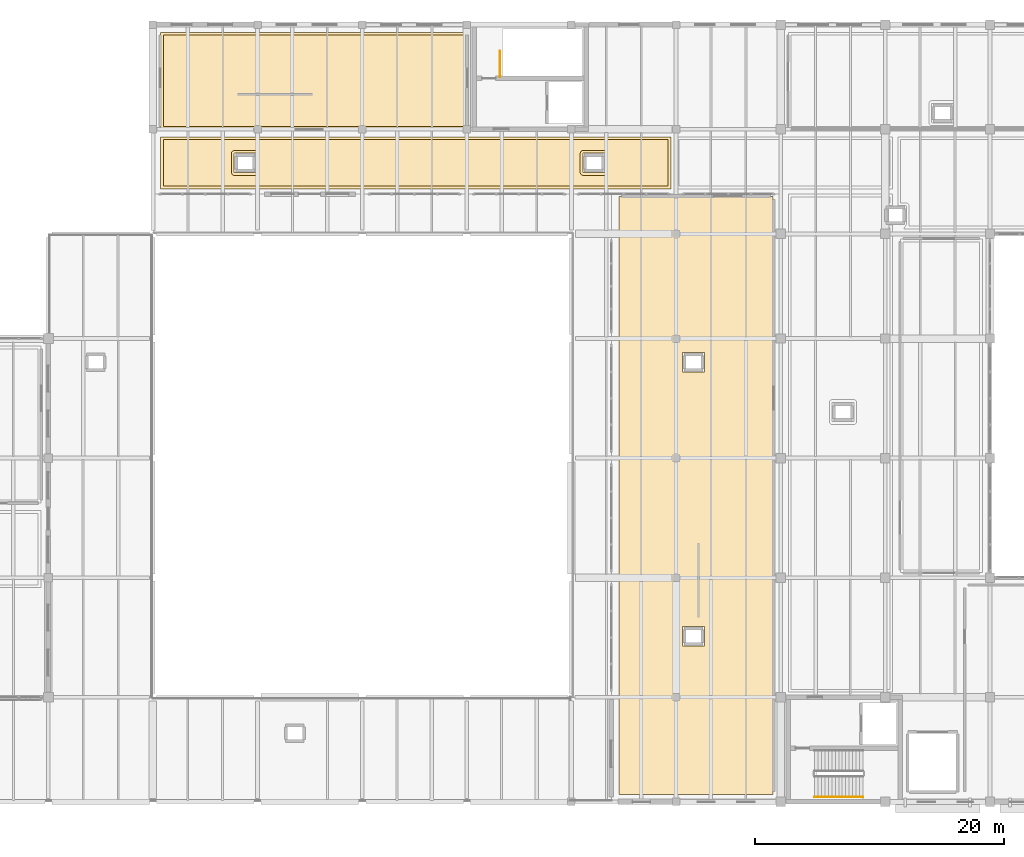
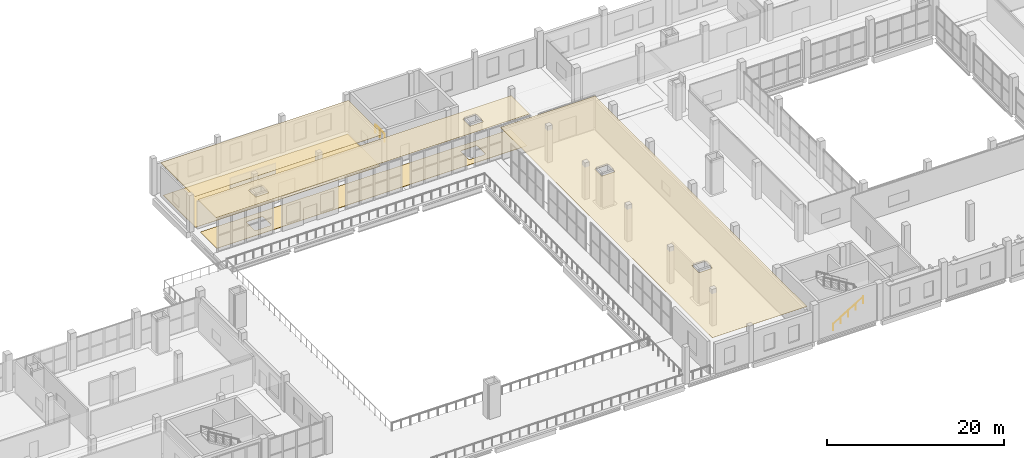
# One storey, part 73 of 77: 5 coverings, 2 railings.
"""IFC4 building model written with IfcOpenShell, lengths in metres."""

from ifc_helpers import new_model, si_unit, direction, frame, origin, origin_2d, place, context, subcontext, project, spatial, polyline, circle, outline, extrude, material, layer, layer_set, type_object, element, save


model = new_model("IFC4")

# Units and contexts
model_context = context("Model", 3, precision=1e-05, world=origin(), true_north=direction((0.0, 1.0)))
body_context = subcontext(model_context, "Body", "Model", "MODEL_VIEW")
ifc_project = project(units=[si_unit("LENGTHUNIT", "METRE"), si_unit("AREAUNIT", "SQUARE_METRE"), si_unit("VOLUMEUNIT", "CUBIC_METRE"), si_unit("PLANEANGLEUNIT", "RADIAN"), si_unit("MASSUNIT", "GRAM", prefix="KILO")], contexts=[model_context])

# Site, building, storey
site_placement = place(None, origin())
site = spatial("IfcSite", under=ifc_project, at=site_placement, CompositionType="ELEMENT")
building_placement = place(site_placement, origin())
building = spatial("IfcBuilding", under=site, at=building_placement, Name="Zulmaris Art Gallery", CompositionType="ELEMENT")
storey_placement = place(building_placement, frame((0.0, 0.0, 15.60009765625)))
storey = spatial("IfcBuildingStorey", under=building, at=storey_placement, Name="L03", CompositionType="ELEMENT", Elevation=15.60009765625)

# Coverings
ifc_material_1 = material(Name="Micro-Perforated Gypsum Acoustic Ceiling", Category="gypsum")
ifc_layer_1 = layer(ifc_material_1, 0.02490234375)
ifc_layer_set_1 = layer_set([ifc_layer_1], Name="Micro-Perforated Gypsum Acoustic Ceiling")
covering_type_1 = type_object("IfcCoveringType", Name="COV-CL01", PredefinedType="CEILING", material=ifc_layer_set_1)
covering_1_placement = place(storey_placement, frame((0.0, 0.0, 4.449951171875)))
element("IfcCovering", 1, at=covering_1_placement, inside=storey, type_object=covering_type_1, Name="L03 Setback Gallery Concourse acoustic ceiling", PredefinedType="CEILING", context=body_context, shape_type="SweptSolid", body=[
    extrude(outline(polyline([(91.81005859375, 66.590087890625), (132.7900390625, 66.590087890625), (132.7900390625, 62.409912109375), (91.81005859375, 62.409912109375), (91.81005859375, 66.590087890625)]), holes=[polyline([(125.741455078125, 65.278564453125), (125.738525390625, 65.277587890625), (125.736083984375, 65.276123046875), (125.7333984375, 65.274658203125), (125.731201171875, 65.27294921875), (125.72900390625, 65.27099609375), (125.72705078125, 65.268798828125), (125.725341796875, 65.2666015625), (125.723876953125, 65.263916015625), (125.722412109375, 65.261474609375), (125.721435546875, 65.258544921875), (125.720703125, 65.255859375), (125.720458984375, 65.2529296875), (125.719970703125, 65.24462890625), (125.719970703125, 63.75537109375), (125.720458984375, 63.7470703125), (125.720703125, 63.744140625), (125.721435546875, 63.741455078125), (125.722412109375, 63.738525390625), (125.723876953125, 63.736083984375), (125.725341796875, 63.7333984375), (125.72705078125, 63.731201171875), (125.72900390625, 63.72900390625), (125.731201171875, 63.72705078125), (125.7333984375, 63.725341796875), (125.736083984375, 63.723876953125), (125.738525390625, 63.722412109375), (125.741455078125, 63.721435546875), (125.744140625, 63.720703125), (125.7470703125, 63.720458984375), (125.75537109375, 63.719970703125), (127.444580078125, 63.719970703125), (127.452880859375, 63.720458984375), (127.455810546875, 63.720703125), (127.45849609375, 63.721435546875), (127.46142578125, 63.722412109375), (127.464111328125, 63.723876953125), (127.466552734375, 63.725341796875), (127.468994140625, 63.72705078125), (127.470947265625, 63.72900390625), (127.472900390625, 63.731201171875), (127.474609375, 63.7333984375), (127.476318359375, 63.736083984375), (127.4775390625, 63.738525390625), (127.478515625, 63.741455078125), (127.479248046875, 63.744140625), (127.4794921875, 63.7470703125), (127.47998046875, 63.75537109375), (127.47998046875, 65.24462890625), (127.4794921875, 65.2529296875), (127.479248046875, 65.255859375), (127.478515625, 65.258544921875), (127.4775390625, 65.261474609375), (127.476318359375, 65.263916015625), (127.474609375, 65.2666015625), (127.472900390625, 65.268798828125), (127.470947265625, 65.27099609375), (127.468994140625, 65.27294921875), (127.466552734375, 65.274658203125), (127.464111328125, 65.276123046875), (127.46142578125, 65.277587890625), (127.45849609375, 65.278564453125), (127.455810546875, 65.279296875), (127.452880859375, 65.279541015625), (127.444580078125, 65.280029296875), (125.75537109375, 65.280029296875), (125.7470703125, 65.279541015625), (125.744140625, 65.279296875), (125.741455078125, 65.278564453125)]), polyline([(97.741455078125, 65.278564453125), (97.738525390625, 65.277587890625), (97.736083984375, 65.276123046875), (97.7333984375, 65.274658203125), (97.731201171875, 65.27294921875), (97.72900390625, 65.27099609375), (97.72705078125, 65.268798828125), (97.725341796875, 65.2666015625), (97.723876953125, 65.263916015625), (97.722412109375, 65.261474609375), (97.721435546875, 65.258544921875), (97.720703125, 65.255859375), (97.720458984375, 65.2529296875), (97.719970703125, 65.24462890625), (97.719970703125, 63.75537109375), (97.720458984375, 63.7470703125), (97.720703125, 63.744140625), (97.721435546875, 63.741455078125), (97.722412109375, 63.738525390625), (97.723876953125, 63.736083984375), (97.725341796875, 63.7333984375), (97.72705078125, 63.731201171875), (97.72900390625, 63.72900390625), (97.731201171875, 63.72705078125), (97.7333984375, 63.725341796875), (97.736083984375, 63.723876953125), (97.738525390625, 63.722412109375), (97.741455078125, 63.721435546875), (97.744140625, 63.720703125), (97.7470703125, 63.720458984375), (97.75537109375, 63.719970703125), (99.444580078125, 63.719970703125), (99.452880859375, 63.720458984375), (99.455810546875, 63.720703125), (99.45849609375, 63.721435546875), (99.46142578125, 63.722412109375), (99.464111328125, 63.723876953125), (99.466552734375, 63.725341796875), (99.468994140625, 63.72705078125), (99.470947265625, 63.72900390625), (99.472900390625, 63.731201171875), (99.474609375, 63.7333984375), (99.476318359375, 63.736083984375), (99.4775390625, 63.738525390625), (99.478515625, 63.741455078125), (99.479248046875, 63.744140625), (99.4794921875, 63.7470703125), (99.47998046875, 63.75537109375), (99.47998046875, 65.24462890625), (99.4794921875, 65.2529296875), (99.479248046875, 65.255859375), (99.478515625, 65.258544921875), (99.4775390625, 65.261474609375), (99.476318359375, 65.263916015625), (99.474609375, 65.2666015625), (99.472900390625, 65.268798828125), (99.470947265625, 65.27099609375), (99.468994140625, 65.27294921875), (99.466552734375, 65.274658203125), (99.464111328125, 65.276123046875), (99.46142578125, 65.277587890625), (99.45849609375, 65.278564453125), (99.455810546875, 65.279296875), (99.452880859375, 65.279541015625), (99.444580078125, 65.280029296875), (97.75537109375, 65.280029296875), (97.7470703125, 65.279541015625), (97.744140625, 65.279296875), (97.741455078125, 65.278564453125)])]), origin(), (0.0, 0.0, 1.0), 0.030029296875),
])
ifc_material_2 = material(Name="Luminous UV-Diffusing Stretched Gallery Ceiling", Category="gypsum")
ifc_layer_2 = layer(ifc_material_2, 0.034912109375)
ifc_layer_set_2 = layer_set([ifc_layer_2], Name="Luminous UV-Diffusing Stretched Gallery Ceiling")
covering_type_2 = type_object("IfcCoveringType", Name="COV-CL02", PredefinedType="CEILING", material=ifc_layer_set_2)
covering_2_placement = place(storey_placement, frame((0.0, 0.0, 4.449951171875)))
element("IfcCovering", 2, at=covering_2_placement, inside=storey, type_object=covering_type_2, Name="Setback Terrace Pavilion Gallery North acoustic ceiling", PredefinedType="CEILING", context=body_context, shape_type="SweptSolid", body=[
    extrude(outline(polyline([(91.81005859375, 74.989990234375), (116.389892578125, 74.989990234375), (116.389892578125, 67.2099609375), (91.81005859375, 67.2099609375), (91.81005859375, 74.989990234375)])), origin(), (0.0, 0.0, 1.0), 0.030029296875),
])
covering_3_placement = place(storey_placement, frame((0.0, 0.0, 4.449951171875)))
element("IfcCovering", 3, at=covering_3_placement, inside=storey, type_object=covering_type_2, Name="Setback Terrace Pavilion Gallery East acoustic ceiling", PredefinedType="CEILING", context=body_context, shape_type="SweptSolid", body=[
    extrude(outline(polyline([(128.610107421875, 61.7900390625), (140.989990234375, 61.7900390625), (140.989990234375, 13.81005859375), (128.610107421875, 13.81005859375), (128.610107421875, 61.7900390625)]), holes=[polyline([(133.741455078125, 49.278564453125), (133.738525390625, 49.277587890625), (133.736083984375, 49.276123046875), (133.7333984375, 49.274658203125), (133.731201171875, 49.27294921875), (133.72900390625, 49.27099609375), (133.72705078125, 49.268798828125), (133.725341796875, 49.2666015625), (133.723876953125, 49.263916015625), (133.722412109375, 49.261474609375), (133.721435546875, 49.258544921875), (133.720703125, 49.255859375), (133.720458984375, 49.2529296875), (133.719970703125, 49.24462890625), (133.719970703125, 47.75537109375), (133.720458984375, 47.7470703125), (133.720703125, 47.744140625), (133.721435546875, 47.741455078125), (133.722412109375, 47.738525390625), (133.723876953125, 47.736083984375), (133.725341796875, 47.7333984375), (133.72705078125, 47.731201171875), (133.72900390625, 47.72900390625), (133.731201171875, 47.72705078125), (133.7333984375, 47.725341796875), (133.736083984375, 47.723876953125), (133.738525390625, 47.722412109375), (133.741455078125, 47.721435546875), (133.744140625, 47.720703125), (133.7470703125, 47.720458984375), (133.75537109375, 47.719970703125), (135.444580078125, 47.719970703125), (135.452880859375, 47.720458984375), (135.455810546875, 47.720703125), (135.45849609375, 47.721435546875), (135.46142578125, 47.722412109375), (135.464111328125, 47.723876953125), (135.466552734375, 47.725341796875), (135.468994140625, 47.72705078125), (135.470947265625, 47.72900390625), (135.472900390625, 47.731201171875), (135.474609375, 47.7333984375), (135.476318359375, 47.736083984375), (135.4775390625, 47.738525390625), (135.478515625, 47.741455078125), (135.479248046875, 47.744140625), (135.4794921875, 47.7470703125), (135.47998046875, 47.75537109375), (135.47998046875, 49.24462890625), (135.4794921875, 49.2529296875), (135.479248046875, 49.255859375), (135.478515625, 49.258544921875), (135.4775390625, 49.261474609375), (135.476318359375, 49.263916015625), (135.474609375, 49.2666015625), (135.472900390625, 49.268798828125), (135.470947265625, 49.27099609375), (135.468994140625, 49.27294921875), (135.466552734375, 49.274658203125), (135.464111328125, 49.276123046875), (135.46142578125, 49.277587890625), (135.45849609375, 49.278564453125), (135.455810546875, 49.279296875), (135.452880859375, 49.279541015625), (135.444580078125, 49.280029296875), (133.75537109375, 49.280029296875), (133.7470703125, 49.279541015625), (133.744140625, 49.279296875), (133.741455078125, 49.278564453125)]), polyline([(133.741455078125, 27.278564453125), (133.738525390625, 27.277587890625), (133.736083984375, 27.276123046875), (133.7333984375, 27.274658203125), (133.731201171875, 27.27294921875), (133.72900390625, 27.27099609375), (133.72705078125, 27.268798828125), (133.725341796875, 27.2666015625), (133.723876953125, 27.263916015625), (133.722412109375, 27.261474609375), (133.721435546875, 27.258544921875), (133.720703125, 27.255859375), (133.720458984375, 27.2529296875), (133.719970703125, 27.24462890625), (133.719970703125, 25.75537109375), (133.720458984375, 25.7470703125), (133.720703125, 25.744140625), (133.721435546875, 25.741455078125), (133.722412109375, 25.738525390625), (133.723876953125, 25.736083984375), (133.725341796875, 25.7333984375), (133.72705078125, 25.731201171875), (133.72900390625, 25.72900390625), (133.731201171875, 25.72705078125), (133.7333984375, 25.725341796875), (133.736083984375, 25.723876953125), (133.738525390625, 25.722412109375), (133.741455078125, 25.721435546875), (133.744140625, 25.720703125), (133.7470703125, 25.720458984375), (133.75537109375, 25.719970703125), (135.444580078125, 25.719970703125), (135.452880859375, 25.720458984375), (135.455810546875, 25.720703125), (135.45849609375, 25.721435546875), (135.46142578125, 25.722412109375), (135.464111328125, 25.723876953125), (135.466552734375, 25.725341796875), (135.468994140625, 25.72705078125), (135.470947265625, 25.72900390625), (135.472900390625, 25.731201171875), (135.474609375, 25.7333984375), (135.476318359375, 25.736083984375), (135.4775390625, 25.738525390625), (135.478515625, 25.741455078125), (135.479248046875, 25.744140625), (135.4794921875, 25.7470703125), (135.47998046875, 25.75537109375), (135.47998046875, 27.24462890625), (135.4794921875, 27.2529296875), (135.479248046875, 27.255859375), (135.478515625, 27.258544921875), (135.4775390625, 27.261474609375), (135.476318359375, 27.263916015625), (135.474609375, 27.2666015625), (135.472900390625, 27.268798828125), (135.470947265625, 27.27099609375), (135.468994140625, 27.27294921875), (135.466552734375, 27.274658203125), (135.464111328125, 27.276123046875), (135.46142578125, 27.277587890625), (135.45849609375, 27.278564453125), (135.455810546875, 27.279296875), (135.452880859375, 27.279541015625), (135.444580078125, 27.280029296875), (133.75537109375, 27.280029296875), (133.7470703125, 27.279541015625), (133.744140625, 27.279296875), (133.741455078125, 27.278564453125)])]), origin(), (0.0, 0.0, 1.0), 0.030029296875),
])
ifc_material_3 = material(Name="Honed Omani Limestone Terrazzo Flooring", Category="masonry")
ifc_layer_3 = layer(ifc_material_3, 0.0400390625)
ifc_layer_set_3 = layer_set([ifc_layer_3], Name="Honed Omani Limestone Terrazzo Flooring")
covering_type_3 = type_object("IfcCoveringType", Name="COV-FL01", PredefinedType="FLOORING", material=ifc_layer_set_3)
covering_4_placement = place(storey_placement, origin())
element("IfcCovering", 4, at=covering_4_placement, inside=storey, type_object=covering_type_3, Name="L03 Setback Gallery Concourse finish flooring", PredefinedType="FLOORING", context=body_context, shape_type="SweptSolid", body=[
    extrude(outline(polyline([(132.570068359375, 62.6298828125), (92.030029296875, 62.6298828125), (92.030029296875, 66.3701171875), (132.570068359375, 66.3701171875), (132.570068359375, 62.6298828125)]), holes=[polyline([(125.7255859375, 65.498779296875), (125.701171875, 65.4951171875), (125.677490234375, 65.4892578125), (125.654296875, 65.48095703125), (125.632080078125, 65.470458984375), (125.611083984375, 65.4580078125), (125.59130859375, 65.443359375), (125.5732421875, 65.4267578125), (125.556640625, 65.40869140625), (125.5419921875, 65.388916015625), (125.529541015625, 65.367919921875), (125.51904296875, 65.345703125), (125.5107421875, 65.322509765625), (125.5048828125, 65.298828125), (125.501220703125, 65.2744140625), (125.5, 65.25), (125.5, 63.75), (125.501220703125, 63.7255859375), (125.5048828125, 63.701171875), (125.5107421875, 63.677490234375), (125.51904296875, 63.654296875), (125.529541015625, 63.632080078125), (125.5419921875, 63.611083984375), (125.556640625, 63.59130859375), (125.5732421875, 63.5732421875), (125.59130859375, 63.556640625), (125.611083984375, 63.5419921875), (125.632080078125, 63.529541015625), (125.654296875, 63.51904296875), (125.677490234375, 63.5107421875), (125.701171875, 63.5048828125), (125.7255859375, 63.501220703125), (125.75, 63.5), (127.449951171875, 63.5), (127.474609375, 63.501220703125), (127.498779296875, 63.5048828125), (127.522705078125, 63.5107421875), (127.545654296875, 63.51904296875), (127.56787109375, 63.529541015625), (127.5888671875, 63.5419921875), (127.608642578125, 63.556640625), (127.626708984375, 63.5732421875), (127.643310546875, 63.59130859375), (127.657958984375, 63.611083984375), (127.67041015625, 63.632080078125), (127.680908203125, 63.654296875), (127.689208984375, 63.677490234375), (127.6953125, 63.701171875), (127.69873046875, 63.7255859375), (127.699951171875, 63.75), (127.699951171875, 65.25), (127.69873046875, 65.2744140625), (127.6953125, 65.298828125), (127.689208984375, 65.322509765625), (127.680908203125, 65.345703125), (127.67041015625, 65.367919921875), (127.657958984375, 65.388916015625), (127.643310546875, 65.40869140625), (127.626708984375, 65.4267578125), (127.608642578125, 65.443359375), (127.5888671875, 65.4580078125), (127.56787109375, 65.470458984375), (127.545654296875, 65.48095703125), (127.522705078125, 65.4892578125), (127.498779296875, 65.4951171875), (127.474609375, 65.498779296875), (127.449951171875, 65.5), (125.75, 65.5), (125.7255859375, 65.498779296875)]), polyline([(97.7255859375, 65.498779296875), (97.701171875, 65.4951171875), (97.677490234375, 65.4892578125), (97.654296875, 65.48095703125), (97.632080078125, 65.470458984375), (97.611083984375, 65.4580078125), (97.59130859375, 65.443359375), (97.5732421875, 65.4267578125), (97.556640625, 65.40869140625), (97.5419921875, 65.388916015625), (97.529541015625, 65.367919921875), (97.51904296875, 65.345703125), (97.5107421875, 65.322509765625), (97.5048828125, 65.298828125), (97.501220703125, 65.2744140625), (97.5, 65.25), (97.5, 63.75), (97.501220703125, 63.7255859375), (97.5048828125, 63.701171875), (97.5107421875, 63.677490234375), (97.51904296875, 63.654296875), (97.529541015625, 63.632080078125), (97.5419921875, 63.611083984375), (97.556640625, 63.59130859375), (97.5732421875, 63.5732421875), (97.59130859375, 63.556640625), (97.611083984375, 63.5419921875), (97.632080078125, 63.529541015625), (97.654296875, 63.51904296875), (97.677490234375, 63.5107421875), (97.701171875, 63.5048828125), (97.7255859375, 63.501220703125), (97.75, 63.5), (99.449951171875, 63.5), (99.474609375, 63.501220703125), (99.498779296875, 63.5048828125), (99.522705078125, 63.5107421875), (99.545654296875, 63.51904296875), (99.56787109375, 63.529541015625), (99.5888671875, 63.5419921875), (99.608642578125, 63.556640625), (99.626708984375, 63.5732421875), (99.643310546875, 63.59130859375), (99.657958984375, 63.611083984375), (99.67041015625, 63.632080078125), (99.680908203125, 63.654296875), (99.689208984375, 63.677490234375), (99.6953125, 63.701171875), (99.69873046875, 63.7255859375), (99.699951171875, 63.75), (99.699951171875, 65.25), (99.69873046875, 65.2744140625), (99.6953125, 65.298828125), (99.689208984375, 65.322509765625), (99.680908203125, 65.345703125), (99.67041015625, 65.367919921875), (99.657958984375, 65.388916015625), (99.643310546875, 65.40869140625), (99.626708984375, 65.4267578125), (99.608642578125, 65.443359375), (99.5888671875, 65.4580078125), (99.56787109375, 65.470458984375), (99.545654296875, 65.48095703125), (99.522705078125, 65.4892578125), (99.498779296875, 65.4951171875), (99.474609375, 65.498779296875), (99.449951171875, 65.5), (97.75, 65.5), (97.7255859375, 65.498779296875)])]), origin(), (0.0, 0.0, 1.0), 0.034912109375),
])
ifc_material_4 = material(Name="Oiled European Oak Gallery Parquet Flooring", Category="timber")
ifc_layer_4 = layer(ifc_material_4, 0.030029296875)
ifc_layer_set_4 = layer_set([ifc_layer_4], Name="Oiled European Oak Gallery Parquet Flooring")
covering_type_4 = type_object("IfcCoveringType", Name="COV-FL02", PredefinedType="FLOORING", material=ifc_layer_set_4)
covering_5_placement = place(storey_placement, origin())
element("IfcCovering", 5, at=covering_5_placement, inside=storey, type_object=covering_type_4, Name="Setback Terrace Pavilion Gallery North finish flooring", PredefinedType="FLOORING", context=body_context, shape_type="SweptSolid", body=[
    extrude(outline(polyline([(116.169921875, 67.429931640625), (92.030029296875, 67.429931640625), (92.030029296875, 74.77001953125), (116.169921875, 74.77001953125), (116.169921875, 67.429931640625)])), origin(), (0.0, 0.0, 1.0), 0.034912109375),
])

# Railings
ifc_material_5 = material(Name="Steel S355J2", Category="steel")
ifc_layer_5 = layer(ifc_material_5, 0.050048828125)
ifc_layer_set_5 = layer_set([ifc_layer_5], Name="Steel S355J2")
railing_type_1 = type_object("IfcRailingType", Name="RAIL-STGRD", PredefinedType="GUARDRAIL", material=ifc_layer_set_5)
railing_1_placement = place(storey_placement, frame((119.050048828125, 71.409912109375, 0.0)))
element("IfcRailing", 6, at=railing_1_placement, inside=storey, type_object=railing_type_1, Name="L03 ST5 top well guard 1", PredefinedType="GUARDRAIL", context=body_context, shape_type="SweptSolid", body=[
    extrude(circle(Radius=0.02392578125, at=origin_2d()), frame((0.0, 0.0, 1.076171875), z_axis=(0.0, 1.0, 0.0), x_axis=(-1.0, 0.0, 0.0)), (0.0, 0.0, 1.0), 2.090087890625),
    extrude(circle(Radius=0.02099609375, at=origin_2d()), origin(), (0.0, 0.0, 1.0), 1.052001953125),
    extrude(circle(Radius=0.02099609375, at=origin_2d()), frame((0.0, 1.044921875, 0.0)), (0.0, 0.0, 1.0), 1.052001953125),
    extrude(circle(Radius=0.02099609375, at=origin_2d()), frame((0.0, 2.090087890625, 0.0)), (0.0, 0.0, 1.0), 1.052001953125),
])
ifc_material_6 = material(Name="Brushed Bronze Handrail", Category="steel")
ifc_layer_6 = layer(ifc_material_6, 0.048095703125)
ifc_layer_set_6 = layer_set([ifc_layer_6], Name="Brushed Bronze Handrail")
railing_type_2 = type_object("IfcRailingType", Name="RAIL-STHND", PredefinedType="HANDRAIL", material=ifc_layer_set_6)
railing_2_placement = place(storey_placement, frame((144.300048828125, 13.60009765625, 0.169921875)))
element("IfcRailing", 7, at=railing_2_placement, inside=storey, type_object=railing_type_2, Name="L03 ST3 stair handrail 1", PredefinedType="HANDRAIL", context=body_context, shape_type="SweptSolid", body=[
    extrude(circle(Radius=0.02392578125, at=origin_2d()), frame((0.0, 0.0, 0.8759765625), z_axis=(0.854794262968, 0.0, 0.518967020143), x_axis=(0.0, 1.0, 0.0)), (0.0, 0.0, 1.0), 4.585693359375),
    extrude(circle(Radius=0.02099609375, at=origin_2d()), origin(), (0.0, 0.0, 1.0), 0.851806640625),
    extrude(circle(Radius=0.02099609375, at=origin_2d()), frame((0.97998046875, 0.0, 0.594970703125)), (0.0, 0.0, 1.0), 0.851806640625),
    extrude(circle(Radius=0.02099609375, at=origin_2d()), frame((1.9599609375, 0.0, 1.18994140625)), (0.0, 0.0, 1.0), 0.851806640625),
    extrude(circle(Radius=0.02099609375, at=origin_2d()), frame((2.93994140625, 0.0, 1.784912109375)), (0.0, 0.0, 1.0), 0.851806640625),
    extrude(circle(Radius=0.02099609375, at=origin_2d()), frame((3.919921875, 0.0, 2.3798828125)), (0.0, 0.0, 1.0), 0.851806640625),
])

save(model, "model.ifc")
